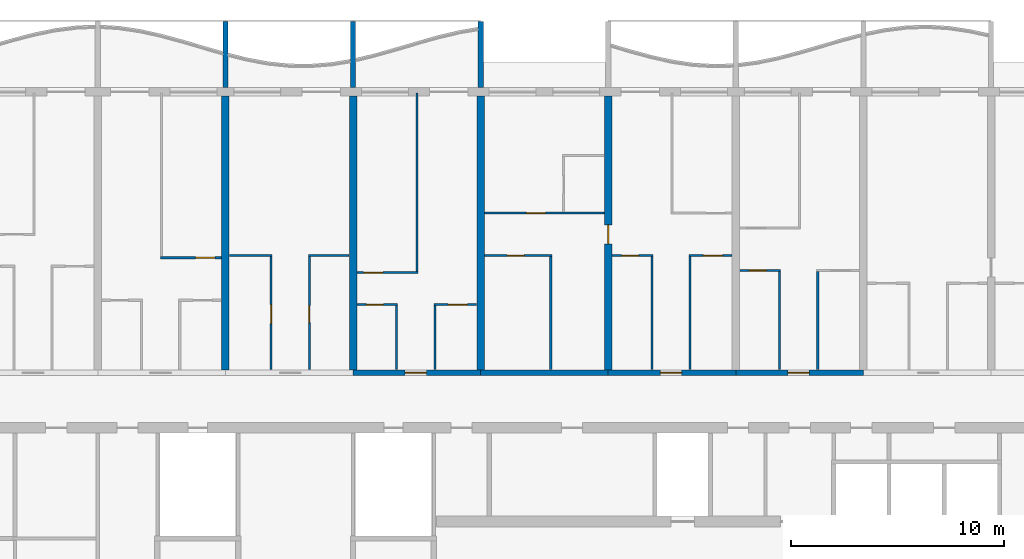
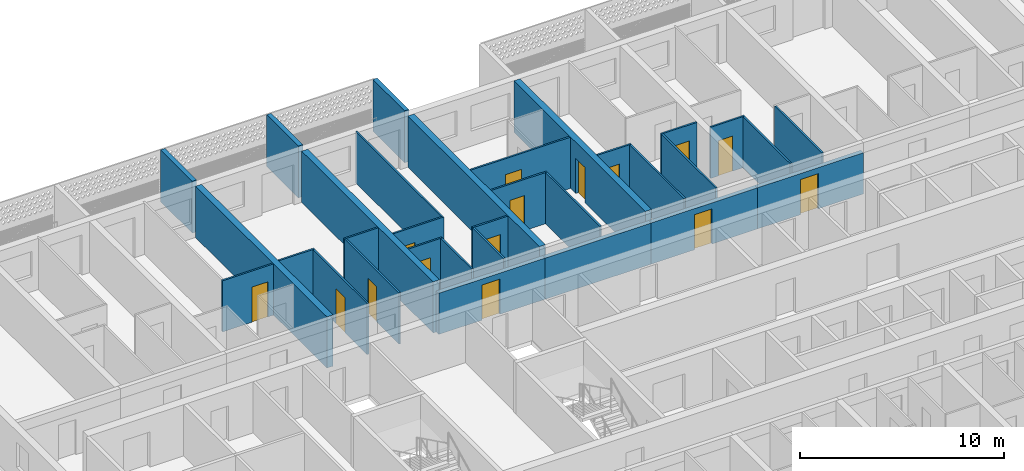
# One storey, part 11 of 28: 32 walls, 15 doors, 15 openings.
"""IFC4 building model written with IfcOpenShell, lengths in metres."""

from ifc_helpers import new_model, si_unit, direction, frame, frame_2d, origin, place, context, subcontext, project, spatial, polyline, rectangle, outline, extrude, source, transform, mapped, material, layer, layer_set, type_object, element, fill, save


model = new_model("IFC4")

# Units and contexts
model_context = context("Model", 3, precision=1e-05, world=origin(), true_north=direction((0.0, 1.0)))
body_context = subcontext(model_context, "Body", "Model", "MODEL_VIEW")
ifc_project = project(units=[si_unit("LENGTHUNIT", "METRE"), si_unit("AREAUNIT", "SQUARE_METRE"), si_unit("VOLUMEUNIT", "CUBIC_METRE"), si_unit("PLANEANGLEUNIT", "RADIAN"), si_unit("MASSUNIT", "GRAM", prefix="KILO")], contexts=[model_context])

# Site, building, storey
site_placement = place(None, origin())
site = spatial("IfcSite", under=ifc_project, at=site_placement, CompositionType="ELEMENT")
building_placement = place(site_placement, origin())
building = spatial("IfcBuilding", under=site, at=building_placement, Name="Poui Terraces", CompositionType="ELEMENT")
storey_placement = place(building_placement, frame((0.0, 0.0, 72.89990234375)))
storey = spatial("IfcBuildingStorey", under=building, at=storey_placement, Name="L19", CompositionType="ELEMENT", Elevation=72.89990234375)

# Wall, opening, door
ifc_material_1 = material(Name="Concrete 65 MPa", Category="concrete")
ifc_layer_1 = layer(ifc_material_1, 0.25)
ifc_layer_set_1 = layer_set([ifc_layer_1], Name="Concrete 65 MPa")
wall_type_1 = type_object("IfcWallType", Name="CORRIDOR WALL 250 65MPa", PredefinedType="SHEAR", material=ifc_layer_set_1)
wall_1_placement = place(storey_placement, frame((30.0, 30.39990234375, 0.0), z_axis=(0.0, 0.0, 1.0), x_axis=(1.0, 0.0, 0.0)))
wall_1 = element("IfcWall", 1, at=wall_1_placement, inside=storey, type_object=wall_type_1, Name="CORRIDOR WALL LINE E BAY 5", PredefinedType="SHEAR", context=body_context, shape_type="SweptSolid", body=[
    extrude(rectangle(XDim=6.0, YDim=0.25, at=frame_2d((3.0, 0.0))), origin(), (0.0, 0.0, 1.0), 2.460205078125),
])
opening_1_placement = place(wall_1_placement, frame((2.449951171875, 0.0, 0.0)))
opening_1 = element("IfcOpeningElement", 2, at=opening_1_placement, cuts=wall_1, Name="Opening FD30S", PredefinedType="OPENING", context=body_context, shape_type="SweptSolid", body=[
    extrude(rectangle(XDim=1.0, YDim=2.10009765625, at=frame_2d((0.5, 1.050048828125))), frame((0.0, 0.135009765625, 0.0), z_axis=(0.0, -1.0, 0.0), x_axis=(1.0, 0.0, 0.0)), (0.0, 0.0, 1.0), 0.27001953125),
])
ifc_material_2 = material(Name="Steel fire door", Category="steel")
door_type_1 = type_object("IfcDoorType", Name="FLAT ENTRANCE DOOR 1000 X 2100", OperationType="NOTDEFINED", PredefinedType="DOOR", material=ifc_material_2)
door_1_placement = place(opening_1_placement, origin())
door_1 = element("IfcDoor", 3, at=door_1_placement, inside=storey, type_object=door_type_1, Name="FLAT ENTRANCE DOOR 047", OperationType="SINGLE_SWING_LEFT", OverallHeight=2.10009765625, OverallWidth=1.0, PredefinedType="DOOR", context=body_context, shape_type="SweptSolid", body=[
    extrude(rectangle(XDim=1.0, YDim=2.10009765625, at=frame_2d((0.5, 1.050048828125))), frame((0.0, 0.02490234375, 0.0), z_axis=(0.0, -1.0, 0.0), x_axis=(1.0, 0.0, 0.0)), (0.0, 0.0, 1.0), 0.050048828125),
])
fill(opening_1, door_1)

# Wall
wall_2_placement = place(storey_placement, frame((36.0, 30.39990234375, 0.0), z_axis=(0.0, 0.0, 1.0), x_axis=(1.0, 0.0, 0.0)))
element("IfcWall", 4, at=wall_2_placement, inside=storey, type_object=wall_type_1, Name="CORRIDOR WALL LINE E BAY 6", PredefinedType="SHEAR", context=body_context, shape_type="SweptSolid", body=[
    extrude(rectangle(XDim=6.0, YDim=0.25, at=frame_2d((3.0, 0.0))), origin(), (0.0, 0.0, 1.0), 2.460205078125),
])

# Wall, opening, door
wall_3_placement = place(storey_placement, frame((42.0, 30.39990234375, 0.0), z_axis=(0.0, 0.0, 1.0), x_axis=(1.0, 0.0, 0.0)))
wall_3 = element("IfcWall", 5, at=wall_3_placement, inside=storey, type_object=wall_type_1, Name="CORRIDOR WALL LINE E BAY 7", PredefinedType="SHEAR", context=body_context, shape_type="SweptSolid", body=[
    extrude(rectangle(XDim=6.0, YDim=0.25, at=frame_2d((3.0, 0.0))), origin(), (0.0, 0.0, 1.0), 2.460205078125),
])
opening_2_placement = place(wall_3_placement, frame((2.449951171875, 0.0, 0.0)))
opening_2 = element("IfcOpeningElement", 6, at=opening_2_placement, cuts=wall_3, Name="Opening FD30S", PredefinedType="OPENING", context=body_context, shape_type="SweptSolid", body=[
    extrude(rectangle(XDim=1.0, YDim=2.10009765625, at=frame_2d((0.5, 1.050048828125))), frame((0.0, 0.135009765625, 0.0), z_axis=(0.0, -1.0, 0.0), x_axis=(1.0, 0.0, 0.0)), (0.0, 0.0, 1.0), 0.27001953125),
])
door_2_placement = place(opening_2_placement, origin())
door_2 = element("IfcDoor", 7, at=door_2_placement, inside=storey, type_object=door_type_1, Name="FLAT ENTRANCE DOOR 053", OperationType="SINGLE_SWING_LEFT", OverallHeight=2.10009765625, OverallWidth=1.0, PredefinedType="DOOR", context=body_context, shape_type="SweptSolid", body=[
    extrude(rectangle(XDim=1.0, YDim=2.10009765625, at=frame_2d((0.5, 1.050048828125))), frame((0.0, 0.02490234375, 0.0), z_axis=(0.0, -1.0, 0.0), x_axis=(1.0, 0.0, 0.0)), (0.0, 0.0, 1.0), 0.050048828125),
])
fill(opening_2, door_2)

wall_4_placement = place(storey_placement, frame((48.0, 30.39990234375, 0.0), z_axis=(0.0, 0.0, 1.0), x_axis=(1.0, 0.0, 0.0)))
wall_4 = element("IfcWall", 8, at=wall_4_placement, inside=storey, type_object=wall_type_1, Name="CORRIDOR WALL LINE E BAY 8", PredefinedType="SHEAR", context=body_context, shape_type="SweptSolid", body=[
    extrude(rectangle(XDim=6.0, YDim=0.25, at=frame_2d((3.0, 0.0))), origin(), (0.0, 0.0, 1.0), 2.460205078125),
])
opening_3_placement = place(wall_4_placement, frame((2.449951171875, 0.0, 0.0)))
opening_3 = element("IfcOpeningElement", 9, at=opening_3_placement, cuts=wall_4, Name="Opening FD30S", PredefinedType="OPENING", context=body_context, shape_type="SweptSolid", body=[
    extrude(rectangle(XDim=1.0, YDim=2.10009765625, at=frame_2d((0.5, 1.050048828125))), frame((0.0, 0.135009765625, 0.0), z_axis=(0.0, -1.0, 0.0), x_axis=(1.0, 0.0, 0.0)), (0.0, 0.0, 1.0), 0.27001953125),
])
door_3_placement = place(opening_3_placement, origin())
door_3 = element("IfcDoor", 10, at=door_3_placement, inside=storey, type_object=door_type_1, Name="FLAT ENTRANCE DOOR 059", OperationType="SINGLE_SWING_LEFT", OverallHeight=2.10009765625, OverallWidth=1.0, PredefinedType="DOOR", context=body_context, shape_type="SweptSolid", body=[
    extrude(rectangle(XDim=1.0, YDim=2.10009765625, at=frame_2d((0.5, 1.050048828125))), frame((0.0, 0.02490234375, 0.0), z_axis=(0.0, -1.0, 0.0), x_axis=(1.0, 0.0, 0.0)), (0.0, 0.0, 1.0), 0.050048828125),
])
fill(opening_3, door_3)

# Walls
ifc_layer_2 = layer(ifc_material_1, 0.35009765625)
ifc_layer_set_2 = layer_set([ifc_layer_2], Name="Concrete 65 MPa")
wall_type_2 = type_object("IfcWallType", Name="CROSS WALL 350 65MPa", PredefinedType="SHEAR", material=ifc_layer_set_2)
for number, where, z_axis, x_axis, name in (
    (11, (24.0, 30.52490234375, 0.0), (0.0, 0.0, 1.0), (0.0, 1.0, 0.0), "CROSS WALL LINE 5 NORTH"),
    (12, (30.0, 30.52490234375, 0.0), (0.0, 0.0, 1.0), (0.0, 1.0, 0.0), "CROSS WALL LINE 6 NORTH"),
    (13, (36.0, 30.52490234375, 0.0), (0.0, 0.0, 1.0), (0.0, 1.0, 0.0), "CROSS WALL LINE 7 NORTH"),
):
    element("IfcWall", number, at=place(storey_placement, frame(where, z_axis=z_axis, x_axis=x_axis)), inside=storey, type_object=wall_type_2, Name=name, PredefinedType="SHEAR", context=body_context, shape_type="SweptSolid", body=[
        extrude(rectangle(XDim=12.875, YDim=0.35009765625, at=frame_2d((6.4375, 0.0))), origin(), (0.0, 0.0, 1.0), 3.06005859375),
    ])

# Wall, opening, door
wall_5_placement = place(storey_placement, frame((42.0, 30.52490234375, 0.0), z_axis=(0.0, 0.0, 1.0), x_axis=(0.0, 1.0, 0.0)))
wall_5 = element("IfcWall", 14, at=wall_5_placement, inside=storey, type_object=wall_type_2, Name="CROSS WALL LINE 8 NORTH", PredefinedType="SHEAR", context=body_context, shape_type="SweptSolid", body=[
    extrude(rectangle(XDim=12.875, YDim=0.35009765625, at=frame_2d((6.4375, 0.0))), origin(), (0.0, 0.0, 1.0), 3.06005859375),
])
opening_4_placement = place(wall_5_placement, frame((5.925048828125, 0.0, 0.0)))
opening_4 = element("IfcOpeningElement", 15, at=opening_4_placement, cuts=wall_5, Name="Opening D90", PredefinedType="OPENING", context=body_context, shape_type="SweptSolid", body=[
    extrude(rectangle(XDim=0.89990234375, YDim=2.10009765625, at=frame_2d((0.449951171875, 1.050048828125))), frame((0.0, 0.18505859375, 0.0), z_axis=(0.0, -1.0, 0.0), x_axis=(1.0, 0.0, 0.0)), (0.0, 0.0, 1.0), 0.3701171875),
])
ifc_material_3 = material(Name="Solid core timber door", Category="wood")
door_type_2 = type_object("IfcDoorType", Name="INTERNAL DOOR 900 X 2100", OperationType="NOTDEFINED", PredefinedType="DOOR", material=ifc_material_3)
door_4_placement = place(opening_4_placement, frame((0.89990234375, 0.0, 0.0), z_axis=(0.0, 0.0, 1.0), x_axis=(-1.0, 0.0, 0.0)))
door_4 = element("IfcDoor", 16, at=door_4_placement, inside=storey, type_object=door_type_2, Name="INTERNAL DOOR 051", OperationType="SINGLE_SWING_RIGHT", OverallHeight=2.10009765625, OverallWidth=0.89990234375, PredefinedType="DOOR", context=body_context, shape_type="SweptSolid", body=[
    extrude(rectangle(XDim=0.89990234375, YDim=2.10009765625, at=frame_2d((0.449951171875, 1.050048828125))), frame((0.0, 0.02490234375, 0.0), z_axis=(0.0, -1.0, 0.0), x_axis=(1.0, 0.0, 0.0)), (0.0, 0.0, 1.0), 0.050048828125),
])
fill(opening_4, door_4)

ifc_material_4 = material(Name="Plasterboard partition")
ifc_layer_3 = layer(ifc_material_4, 0.10009765625)
ifc_layer_set_3 = layer_set([ifc_layer_3], Name="Plasterboard partition")
wall_type_3 = type_object("IfcWallType", Name="FLAT PARTITION 100", PredefinedType="PARTITIONING", material=ifc_layer_set_3)
wall_6_placement = place(storey_placement, frame((30.18505859375, 33.60009765625, 0.0), z_axis=(0.0, 0.0, 1.0), x_axis=(1.0, 0.0, 0.0)))
wall_6 = element("IfcWall", 17, at=wall_6_placement, inside=storey, type_object=wall_type_3, Name="FLAT PARTITION 100", PredefinedType="PARTITIONING", context=body_context, shape_type="SweptSolid", body=[
    extrude(rectangle(XDim=1.9150390625, YDim=0.10009765625, at=frame_2d((0.95751953125, 0.0))), origin(), (0.0, 0.0, 1.0), 3.06005859375),
])
opening_5_placement = place(wall_6_placement, frame((0.43994140625, 0.0, 0.0)))
opening_5 = element("IfcOpeningElement", 18, at=opening_5_placement, cuts=wall_6, Name="Opening D80", PredefinedType="OPENING", context=body_context, shape_type="SweptSolid", body=[
    extrude(rectangle(XDim=0.800048828125, YDim=2.10009765625, at=frame_2d((0.39990234375, 1.050048828125))), frame((0.0, 0.06005859375, 0.0), z_axis=(0.0, -1.0, 0.0), x_axis=(1.0, 0.0, 0.0)), (0.0, 0.0, 1.0), 0.1201171875),
])
door_type_3 = type_object("IfcDoorType", Name="BATHROOM, LAUNDRY AND STORE DOOR 800 X 2100", OperationType="NOTDEFINED", PredefinedType="DOOR", material=ifc_material_3)
door_5_placement = place(opening_5_placement, frame((0.800048828125, 0.0, 0.0), z_axis=(0.0, 0.0, 1.0), x_axis=(-1.0, 0.0, 0.0)))
door_5 = element("IfcDoor", 19, at=door_5_placement, inside=storey, type_object=door_type_3, Name="BATHROOM, LAUNDRY AND STORE DOOR 046", OperationType="SINGLE_SWING_RIGHT", OverallHeight=2.10009765625, OverallWidth=0.800048828125, PredefinedType="DOOR", context=body_context, shape_type="SweptSolid", body=[
    extrude(rectangle(XDim=0.800048828125, YDim=2.10009765625, at=frame_2d((0.39990234375, 1.050048828125))), frame((0.0, 0.02490234375, 0.0), z_axis=(0.0, -1.0, 0.0), x_axis=(1.0, 0.0, 0.0)), (0.0, 0.0, 1.0), 0.050048828125),
])
fill(opening_5, door_5)

wall_7_placement = place(storey_placement, frame((33.800048828125, 33.60009765625, 0.0), z_axis=(0.0, 0.0, 1.0), x_axis=(1.0, 0.0, 0.0)))
wall_7 = element("IfcWall", 20, at=wall_7_placement, inside=storey, type_object=wall_type_3, Name="FLAT PARTITION 100", PredefinedType="PARTITIONING", context=body_context, shape_type="SweptSolid", body=[
    extrude(rectangle(XDim=2.014892578125, YDim=0.10009765625, at=frame_2d((1.00732421875, 0.0))), origin(), (0.0, 0.0, 1.0), 3.06005859375),
])
opening_6_placement = place(wall_7_placement, frame((0.675048828125, 0.0, 0.0)))
opening_6 = element("IfcOpeningElement", 21, at=opening_6_placement, cuts=wall_7, Name="Opening D90", PredefinedType="OPENING", context=body_context, shape_type="SweptSolid", body=[
    extrude(rectangle(XDim=0.89990234375, YDim=2.10009765625, at=frame_2d((0.449951171875, 1.050048828125))), frame((0.0, 0.06005859375, 0.0), z_axis=(0.0, -1.0, 0.0), x_axis=(1.0, 0.0, 0.0)), (0.0, 0.0, 1.0), 0.1201171875),
])
door_6_placement = place(opening_6_placement, frame((0.89990234375, 0.0, 0.0), z_axis=(0.0, 0.0, 1.0), x_axis=(-1.0, 0.0, 0.0)))
door_6 = element("IfcDoor", 22, at=door_6_placement, inside=storey, type_object=door_type_2, Name="INTERNAL DOOR 048", OperationType="SINGLE_SWING_LEFT", OverallHeight=2.10009765625, OverallWidth=0.89990234375, PredefinedType="DOOR", context=body_context, shape_type="SweptSolid", body=[
    extrude(rectangle(XDim=0.89990234375, YDim=2.10009765625, at=frame_2d((0.449951171875, 1.050048828125))), frame((0.0, 0.02490234375, 0.0), z_axis=(0.0, -1.0, 0.0), x_axis=(1.0, 0.0, 0.0)), (0.0, 0.0, 1.0), 0.050048828125),
])
fill(opening_6, door_6)

wall_8_placement = place(storey_placement, frame((30.18505859375, 35.10009765625, 0.0), z_axis=(0.0, 0.0, 1.0), x_axis=(1.0, 0.0, 0.0)))
wall_8 = element("IfcWall", 23, at=wall_8_placement, inside=storey, type_object=wall_type_3, Name="FLAT PARTITION 100", PredefinedType="PARTITIONING", context=body_context, shape_type="SweptSolid", body=[
    extrude(rectangle(XDim=2.864990234375, YDim=0.10009765625, at=frame_2d((1.4326171875, 0.0))), origin(), (0.0, 0.0, 1.0), 3.06005859375),
])
opening_7_placement = place(wall_8_placement, frame((0.31494140625, 0.0, 0.0)))
opening_7 = element("IfcOpeningElement", 24, at=opening_7_placement, cuts=wall_8, Name="Opening D90", PredefinedType="OPENING", context=body_context, shape_type="SweptSolid", body=[
    extrude(rectangle(XDim=0.89990234375, YDim=2.10009765625, at=frame_2d((0.449951171875, 1.050048828125))), frame((0.0, 0.06005859375, 0.0), z_axis=(0.0, -1.0, 0.0), x_axis=(1.0, 0.0, 0.0)), (0.0, 0.0, 1.0), 0.1201171875),
])
door_7_placement = place(opening_7_placement, frame((0.89990234375, 0.0, 0.0), z_axis=(0.0, 0.0, 1.0), x_axis=(-1.0, 0.0, 0.0)))
door_7 = element("IfcDoor", 25, at=door_7_placement, inside=storey, type_object=door_type_2, Name="INTERNAL DOOR 045", OperationType="SINGLE_SWING_LEFT", OverallHeight=2.10009765625, OverallWidth=0.89990234375, PredefinedType="DOOR", context=body_context, shape_type="SweptSolid", body=[
    extrude(rectangle(XDim=0.89990234375, YDim=2.10009765625, at=frame_2d((0.449951171875, 1.050048828125))), frame((0.0, 0.02490234375, 0.0), z_axis=(0.0, -1.0, 0.0), x_axis=(1.0, 0.0, 0.0)), (0.0, 0.0, 1.0), 0.050048828125),
])
fill(opening_7, door_7)

wall_9_placement = place(storey_placement, frame((48.18505859375, 35.199951171875, 0.0), z_axis=(0.0, 0.0, 1.0), x_axis=(1.0, 0.0, 0.0)))
wall_9 = element("IfcWall", 26, at=wall_9_placement, inside=storey, type_object=wall_type_3, Name="FLAT PARTITION 100", PredefinedType="PARTITIONING", context=body_context, shape_type="SweptSolid", body=[
    extrude(rectangle(XDim=1.9150390625, YDim=0.10009765625, at=frame_2d((0.95751953125, 0.0))), origin(), (0.0, 0.0, 1.0), 3.06005859375),
])
opening_8_placement = place(wall_9_placement, frame((0.43994140625, 0.0, 0.0)))
opening_8 = element("IfcOpeningElement", 27, at=opening_8_placement, cuts=wall_9, Name="Opening D80", PredefinedType="OPENING", context=body_context, shape_type="SweptSolid", body=[
    extrude(rectangle(XDim=0.800048828125, YDim=2.10009765625, at=frame_2d((0.39990234375, 1.050048828125))), frame((0.0, 0.06005859375, 0.0), z_axis=(0.0, -1.0, 0.0), x_axis=(1.0, 0.0, 0.0)), (0.0, 0.0, 1.0), 0.1201171875),
])
door_8_placement = place(opening_8_placement, frame((0.800048828125, 0.0, 0.0), z_axis=(0.0, 0.0, 1.0), x_axis=(-1.0, 0.0, 0.0)))
door_8 = element("IfcDoor", 28, at=door_8_placement, inside=storey, type_object=door_type_3, Name="BATHROOM, LAUNDRY AND STORE DOOR 058", OperationType="SINGLE_SWING_RIGHT", OverallHeight=2.10009765625, OverallWidth=0.800048828125, PredefinedType="DOOR", context=body_context, shape_type="SweptSolid", body=[
    extrude(rectangle(XDim=0.800048828125, YDim=2.10009765625, at=frame_2d((0.39990234375, 1.050048828125))), frame((0.0, 0.02490234375, 0.0), z_axis=(0.0, -1.0, 0.0), x_axis=(1.0, 0.0, 0.0)), (0.0, 0.0, 1.0), 0.050048828125),
])
fill(opening_8, door_8)

wall_10_placement = place(storey_placement, frame((20.949951171875, 35.800048828125, 0.0), z_axis=(0.0, 0.0, 1.0), x_axis=(1.0, 0.0, 0.0)))
wall_10 = element("IfcWall", 29, at=wall_10_placement, inside=storey, type_object=wall_type_3, Name="FLAT PARTITION 100", PredefinedType="PARTITIONING", context=body_context, shape_type="SweptSolid", body=[
    extrude(rectangle(XDim=2.864990234375, YDim=0.10009765625, at=frame_2d((1.4326171875, 0.0))), origin(), (0.0, 0.0, 1.0), 3.06005859375),
])
opening_9_placement = place(wall_10_placement, frame((1.64990234375, 0.0, 0.0)))
opening_9 = element("IfcOpeningElement", 30, at=opening_9_placement, cuts=wall_10, Name="Opening D90", PredefinedType="OPENING", context=body_context, shape_type="SweptSolid", body=[
    extrude(rectangle(XDim=0.89990234375, YDim=2.10009765625, at=frame_2d((0.449951171875, 1.050048828125))), frame((0.0, 0.06005859375, 0.0), z_axis=(0.0, -1.0, 0.0), x_axis=(1.0, 0.0, 0.0)), (0.0, 0.0, 1.0), 0.1201171875),
])
door_9_placement = place(opening_9_placement, frame((0.89990234375, 0.0, 0.0), z_axis=(0.0, 0.0, 1.0), x_axis=(-1.0, 0.0, 0.0)))
door_9 = element("IfcDoor", 31, at=door_9_placement, inside=storey, type_object=door_type_2, Name="INTERNAL DOOR 041", OperationType="SINGLE_SWING_RIGHT", OverallHeight=2.10009765625, OverallWidth=0.89990234375, PredefinedType="DOOR", context=body_context, shape_type="SweptSolid", body=[
    extrude(rectangle(XDim=0.89990234375, YDim=2.10009765625, at=frame_2d((0.449951171875, 1.050048828125))), frame((0.0, 0.02490234375, 0.0), z_axis=(0.0, -1.0, 0.0), x_axis=(1.0, 0.0, 0.0)), (0.0, 0.0, 1.0), 0.050048828125),
])
fill(opening_9, door_9)

# Walls
wall_11_placement = place(storey_placement, frame((24.18505859375, 35.89990234375, 0.0), z_axis=(0.0, 0.0, 1.0), x_axis=(1.0, 0.0, 0.0)))
element("IfcWall", 32, at=wall_11_placement, inside=storey, type_object=wall_type_3, Name="FLAT PARTITION 100", PredefinedType="PARTITIONING", context=body_context, shape_type="SweptSolid", body=[
    extrude(rectangle(XDim=2.014892578125, YDim=0.10009765625, at=frame_2d((1.00732421875, 0.0))), origin(), (0.0, 0.0, 1.0), 3.06005859375),
])
wall_12_placement = place(storey_placement, frame((27.89990234375, 35.89990234375, 0.0), z_axis=(0.0, 0.0, 1.0), x_axis=(1.0, 0.0, 0.0)))
element("IfcWall", 33, at=wall_12_placement, inside=storey, type_object=wall_type_3, Name="FLAT PARTITION 100", PredefinedType="PARTITIONING", context=body_context, shape_type="SweptSolid", body=[
    extrude(rectangle(XDim=1.9150390625, YDim=0.10009765625, at=frame_2d((0.95751953125, 0.0))), origin(), (0.0, 0.0, 1.0), 3.06005859375),
])

# Wall, opening, door
wall_13_placement = place(storey_placement, frame((36.18505859375, 35.89990234375, 0.0), z_axis=(0.0, 0.0, 1.0), x_axis=(1.0, 0.0, 0.0)))
wall_13 = element("IfcWall", 34, at=wall_13_placement, inside=storey, type_object=wall_type_3, Name="FLAT PARTITION 100", PredefinedType="PARTITIONING", context=body_context, shape_type="SweptSolid", body=[
    extrude(rectangle(XDim=3.1650390625, YDim=0.10009765625, at=frame_2d((1.58251953125, 0.0))), origin(), (0.0, 0.0, 1.0), 3.06005859375),
])
opening_10_placement = place(wall_13_placement, frame((1.06494140625, 0.0, 0.0)))
opening_10 = element("IfcOpeningElement", 35, at=opening_10_placement, cuts=wall_13, Name="Opening D80", PredefinedType="OPENING", context=body_context, shape_type="SweptSolid", body=[
    extrude(rectangle(XDim=0.800048828125, YDim=2.10009765625, at=frame_2d((0.39990234375, 1.050048828125))), frame((0.0, 0.06005859375, 0.0), z_axis=(0.0, -1.0, 0.0), x_axis=(1.0, 0.0, 0.0)), (0.0, 0.0, 1.0), 0.1201171875),
])
door_10_placement = place(opening_10_placement, origin())
door_10 = element("IfcDoor", 36, at=door_10_placement, inside=storey, type_object=door_type_3, Name="BATHROOM, LAUNDRY AND STORE DOOR 049", OperationType="SINGLE_SWING_LEFT", OverallHeight=2.10009765625, OverallWidth=0.800048828125, PredefinedType="DOOR", context=body_context, shape_type="SweptSolid", body=[
    extrude(rectangle(XDim=0.800048828125, YDim=2.10009765625, at=frame_2d((0.39990234375, 1.050048828125))), frame((0.0, 0.02490234375, 0.0), z_axis=(0.0, -1.0, 0.0), x_axis=(1.0, 0.0, 0.0)), (0.0, 0.0, 1.0), 0.050048828125),
])
fill(opening_10, door_10)

wall_14_placement = place(storey_placement, frame((42.18505859375, 35.89990234375, 0.0), z_axis=(0.0, 0.0, 1.0), x_axis=(1.0, 0.0, 0.0)))
wall_14 = element("IfcWall", 37, at=wall_14_placement, inside=storey, type_object=wall_type_3, Name="FLAT PARTITION 100", PredefinedType="PARTITIONING", context=body_context, shape_type="SweptSolid", body=[
    extrude(rectangle(XDim=1.9150390625, YDim=0.10009765625, at=frame_2d((0.95751953125, 0.0))), origin(), (0.0, 0.0, 1.0), 3.06005859375),
])
opening_11_placement = place(wall_14_placement, frame((0.43994140625, 0.0, 0.0)))
opening_11 = element("IfcOpeningElement", 38, at=opening_11_placement, cuts=wall_14, Name="Opening D80", PredefinedType="OPENING", context=body_context, shape_type="SweptSolid", body=[
    extrude(rectangle(XDim=0.800048828125, YDim=2.10009765625, at=frame_2d((0.39990234375, 1.050048828125))), frame((0.0, 0.06005859375, 0.0), z_axis=(0.0, -1.0, 0.0), x_axis=(1.0, 0.0, 0.0)), (0.0, 0.0, 1.0), 0.1201171875),
])
door_11_placement = place(opening_11_placement, frame((0.800048828125, 0.0, 0.0), z_axis=(0.0, 0.0, 1.0), x_axis=(-1.0, 0.0, 0.0)))
door_11 = element("IfcDoor", 39, at=door_11_placement, inside=storey, type_object=door_type_3, Name="BATHROOM, LAUNDRY AND STORE DOOR 052", OperationType="SINGLE_SWING_RIGHT", OverallHeight=2.10009765625, OverallWidth=0.800048828125, PredefinedType="DOOR", context=body_context, shape_type="SweptSolid", body=[
    extrude(rectangle(XDim=0.800048828125, YDim=2.10009765625, at=frame_2d((0.39990234375, 1.050048828125))), frame((0.0, 0.02490234375, 0.0), z_axis=(0.0, -1.0, 0.0), x_axis=(1.0, 0.0, 0.0)), (0.0, 0.0, 1.0), 0.050048828125),
])
fill(opening_11, door_11)

wall_15_placement = place(storey_placement, frame((45.800048828125, 35.89990234375, 0.0), z_axis=(0.0, 0.0, 1.0), x_axis=(1.0, 0.0, 0.0)))
wall_15 = element("IfcWall", 40, at=wall_15_placement, inside=storey, type_object=wall_type_3, Name="FLAT PARTITION 100", PredefinedType="PARTITIONING", context=body_context, shape_type="SweptSolid", body=[
    extrude(rectangle(XDim=2.014892578125, YDim=0.10009765625, at=frame_2d((1.00732421875, 0.0))), origin(), (0.0, 0.0, 1.0), 3.06005859375),
])
opening_12_placement = place(wall_15_placement, frame((0.675048828125, 0.0, 0.0)))
opening_12 = element("IfcOpeningElement", 41, at=opening_12_placement, cuts=wall_15, Name="Opening D90", PredefinedType="OPENING", context=body_context, shape_type="SweptSolid", body=[
    extrude(rectangle(XDim=0.89990234375, YDim=2.10009765625, at=frame_2d((0.449951171875, 1.050048828125))), frame((0.0, 0.06005859375, 0.0), z_axis=(0.0, -1.0, 0.0), x_axis=(1.0, 0.0, 0.0)), (0.0, 0.0, 1.0), 0.1201171875),
])
door_12_placement = place(opening_12_placement, frame((0.89990234375, 0.0, 0.0), z_axis=(0.0, 0.0, 1.0), x_axis=(-1.0, 0.0, 0.0)))
door_12 = element("IfcDoor", 42, at=door_12_placement, inside=storey, type_object=door_type_2, Name="INTERNAL DOOR 054", OperationType="SINGLE_SWING_LEFT", OverallHeight=2.10009765625, OverallWidth=0.89990234375, PredefinedType="DOOR", context=body_context, shape_type="SweptSolid", body=[
    extrude(rectangle(XDim=0.89990234375, YDim=2.10009765625, at=frame_2d((0.449951171875, 1.050048828125))), frame((0.0, 0.02490234375, 0.0), z_axis=(0.0, -1.0, 0.0), x_axis=(1.0, 0.0, 0.0)), (0.0, 0.0, 1.0), 0.050048828125),
])
fill(opening_12, door_12)

wall_16_placement = place(storey_placement, frame((36.18505859375, 37.89990234375, 0.0), z_axis=(0.0, 0.0, 1.0), x_axis=(1.0, 0.0, 0.0)))
wall_16 = element("IfcWall", 43, at=wall_16_placement, inside=storey, type_object=wall_type_3, Name="FLAT PARTITION 100", PredefinedType="PARTITIONING", context=body_context, shape_type="SweptSolid", body=[
    extrude(rectangle(XDim=5.6298828125, YDim=0.10009765625, at=frame_2d((2.81494140625, 0.0))), origin(), (0.0, 0.0, 1.0), 3.06005859375),
])
opening_13_placement = place(wall_16_placement, frame((1.965087890625, 0.0, 0.0)))
opening_13 = element("IfcOpeningElement", 44, at=opening_13_placement, cuts=wall_16, Name="Opening D90", PredefinedType="OPENING", context=body_context, shape_type="SweptSolid", body=[
    extrude(rectangle(XDim=0.89990234375, YDim=2.10009765625, at=frame_2d((0.449951171875, 1.050048828125))), frame((0.0, 0.06005859375, 0.0), z_axis=(0.0, -1.0, 0.0), x_axis=(1.0, 0.0, 0.0)), (0.0, 0.0, 1.0), 0.1201171875),
])
door_13_placement = place(opening_13_placement, origin())
door_13 = element("IfcDoor", 45, at=door_13_placement, inside=storey, type_object=door_type_2, Name="INTERNAL DOOR 050", OperationType="SINGLE_SWING_LEFT", OverallHeight=2.10009765625, OverallWidth=0.89990234375, PredefinedType="DOOR", context=body_context, shape_type="SweptSolid", body=[
    extrude(rectangle(XDim=0.89990234375, YDim=2.10009765625, at=frame_2d((0.449951171875, 1.050048828125))), frame((0.0, 0.02490234375, 0.0), z_axis=(0.0, -1.0, 0.0), x_axis=(1.0, 0.0, 0.0)), (0.0, 0.0, 1.0), 0.050048828125),
])
fill(opening_13, door_13)

wall_17_placement = place(storey_placement, frame((26.14990234375, 30.534912109375, 0.0), z_axis=(0.0, 0.0, 1.0), x_axis=(0.0, 1.0, 0.0)))
wall_17 = element("IfcWall", 46, at=wall_17_placement, inside=storey, type_object=wall_type_3, Name="FLAT PARTITION 100", PredefinedType="PARTITIONING", context=body_context, shape_type="SweptSolid", body=[
    extrude(rectangle(XDim=5.315185546875, YDim=0.10009765625, at=frame_2d((2.65771484375, 0.0))), origin(), (0.0, 0.0, 1.0), 3.06005859375),
])
opening_14_placement = place(wall_17_placement, frame((2.1650390625, 0.0, 0.0)))
opening_14 = element("IfcOpeningElement", 47, at=opening_14_placement, cuts=wall_17, Name="Opening D90", PredefinedType="OPENING", context=body_context, shape_type="SweptSolid", body=[
    extrude(rectangle(XDim=0.89990234375, YDim=2.10009765625, at=frame_2d((0.449951171875, 1.050048828125))), frame((0.0, 0.06005859375, 0.0), z_axis=(0.0, -1.0, 0.0), x_axis=(1.0, 0.0, 0.0)), (0.0, 0.0, 1.0), 0.1201171875),
])
door_14_placement = place(opening_14_placement, origin())
door_14 = element("IfcDoor", 48, at=door_14_placement, inside=storey, type_object=door_type_2, Name="INTERNAL DOOR 042", OperationType="SINGLE_SWING_LEFT", OverallHeight=2.10009765625, OverallWidth=0.89990234375, PredefinedType="DOOR", context=body_context, shape_type="SweptSolid", body=[
    extrude(rectangle(XDim=0.89990234375, YDim=2.10009765625, at=frame_2d((0.449951171875, 1.050048828125))), frame((0.0, 0.02490234375, 0.0), z_axis=(0.0, -1.0, 0.0), x_axis=(1.0, 0.0, 0.0)), (0.0, 0.0, 1.0), 0.050048828125),
])
fill(opening_14, door_14)

wall_18_placement = place(storey_placement, frame((27.949951171875, 30.534912109375, 0.0), z_axis=(0.0, 0.0, 1.0), x_axis=(0.0, 1.0, 0.0)))
wall_18 = element("IfcWall", 49, at=wall_18_placement, inside=storey, type_object=wall_type_3, Name="FLAT PARTITION 100", PredefinedType="PARTITIONING", context=body_context, shape_type="SweptSolid", body=[
    extrude(rectangle(XDim=5.315185546875, YDim=0.10009765625, at=frame_2d((2.65771484375, 0.0))), origin(), (0.0, 0.0, 1.0), 3.06005859375),
])
opening_15_placement = place(wall_18_placement, frame((2.215087890625, 0.0, 0.0)))
opening_15 = element("IfcOpeningElement", 50, at=opening_15_placement, cuts=wall_18, Name="Opening D80", PredefinedType="OPENING", context=body_context, shape_type="SweptSolid", body=[
    extrude(rectangle(XDim=0.800048828125, YDim=2.10009765625, at=frame_2d((0.39990234375, 1.050048828125))), frame((0.0, 0.06005859375, 0.0), z_axis=(0.0, -1.0, 0.0), x_axis=(1.0, 0.0, 0.0)), (0.0, 0.0, 1.0), 0.1201171875),
])
door_15_placement = place(opening_15_placement, frame((0.800048828125, 0.0, 0.0), z_axis=(0.0, 0.0, 1.0), x_axis=(-1.0, 0.0, 0.0)))
door_15 = element("IfcDoor", 51, at=door_15_placement, inside=storey, type_object=door_type_3, Name="BATHROOM, LAUNDRY AND STORE DOOR 044", OperationType="SINGLE_SWING_LEFT", OverallHeight=2.10009765625, OverallWidth=0.800048828125, PredefinedType="DOOR", context=body_context, shape_type="SweptSolid", body=[
    extrude(rectangle(XDim=0.800048828125, YDim=2.10009765625, at=frame_2d((0.39990234375, 1.050048828125))), frame((0.0, 0.02490234375, 0.0), z_axis=(0.0, -1.0, 0.0), x_axis=(1.0, 0.0, 0.0)), (0.0, 0.0, 1.0), 0.050048828125),
])
fill(opening_15, door_15)

# Walls
wall_19_placement = place(storey_placement, frame((32.050048828125, 30.534912109375, 0.0), z_axis=(0.0, 0.0, 1.0), x_axis=(0.0, 1.0, 0.0)))
element("IfcWall", 52, at=wall_19_placement, inside=storey, type_object=wall_type_3, Name="FLAT PARTITION 100", PredefinedType="PARTITIONING", context=body_context, shape_type="SweptSolid", body=[
    extrude(rectangle(XDim=3.01513671875, YDim=0.10009765625, at=frame_2d((1.507568359375, 0.0))), origin(), (0.0, 0.0, 1.0), 3.06005859375),
])
wall_20_placement = place(storey_placement, frame((33.0, 35.14990234375, 0.0), z_axis=(0.0, 0.0, 1.0), x_axis=(0.0, 1.0, 0.0)))
element("IfcWall", 53, at=wall_20_placement, inside=storey, type_object=wall_type_3, Name="FLAT PARTITION 100", PredefinedType="PARTITIONING", context=body_context, shape_type="SweptSolid", body=[
    extrude(rectangle(XDim=8.39013671875, YDim=0.10009765625, at=frame_2d((4.195068359375, 0.0))), origin(), (0.0, 0.0, 1.0), 3.06005859375),
])
wall_21_placement = place(storey_placement, frame((33.85009765625, 30.534912109375, 0.0), z_axis=(0.0, 0.0, 1.0), x_axis=(0.0, 1.0, 0.0)))
element("IfcWall", 54, at=wall_21_placement, inside=storey, type_object=wall_type_3, Name="FLAT PARTITION 100", PredefinedType="PARTITIONING", context=body_context, shape_type="SweptSolid", body=[
    extrude(rectangle(XDim=3.01513671875, YDim=0.10009765625, at=frame_2d((1.507568359375, 0.0))), origin(), (0.0, 0.0, 1.0), 3.06005859375),
])
for number, where, z_axis, x_axis, name in (
    (55, (39.300048828125, 30.534912109375, 0.0), (0.0, 0.0, 1.0), (0.0, 1.0, 0.0), "FLAT PARTITION 100"),
    (56, (44.050048828125, 30.534912109375, 0.0), (0.0, 0.0, 1.0), (0.0, 1.0, 0.0), "FLAT PARTITION 100"),
    (57, (45.85009765625, 30.534912109375, 0.0), (0.0, 0.0, 1.0), (0.0, 1.0, 0.0), "FLAT PARTITION 100"),
):
    element("IfcWall", number, at=place(storey_placement, frame(where, z_axis=z_axis, x_axis=x_axis)), inside=storey, type_object=wall_type_3, Name=name, PredefinedType="PARTITIONING", context=body_context, shape_type="SweptSolid", body=[
        extrude(rectangle(XDim=5.315185546875, YDim=0.10009765625, at=frame_2d((2.65771484375, 0.0))), origin(), (0.0, 0.0, 1.0), 3.06005859375),
    ])
for number, where, z_axis, x_axis, name in (
    (58, (50.050048828125, 30.534912109375, 0.0), (0.0, 0.0, 1.0), (0.0, 1.0, 0.0), "FLAT PARTITION 100"),
    (59, (51.85009765625, 30.534912109375, 0.0), (0.0, 0.0, 1.0), (0.0, 1.0, 0.0), "FLAT PARTITION 100"),
):
    element("IfcWall", number, at=place(storey_placement, frame(where, z_axis=z_axis, x_axis=x_axis)), inside=storey, type_object=wall_type_3, Name=name, PredefinedType="PARTITIONING", context=body_context, shape_type="SweptSolid", body=[
        extrude(rectangle(XDim=4.614990234375, YDim=0.10009765625, at=frame_2d((2.3076171875, 0.0))), origin(), (0.0, 0.0, 1.0), 3.06005859375),
    ])
ifc_material_5 = material(Name="Precast concrete 40 MPa", Category="concrete")
ifc_layer_4 = layer(ifc_material_5, 0.25)
ifc_layer_set_4 = layer_set([ifc_layer_4], Name="Precast concrete 40 MPa")
wall_type_4 = type_object("IfcWallType", Name="BALCONY FIN 250", PredefinedType="STANDARD", material=ifc_layer_set_4)
shared_shape = source(origin(), body_context, "Body", "SweptSolid", [
    extrude(outline(polyline([(0.0, 0.0), (0.25, 0.0), (0.25, 3.099853515625), (0.0, 3.099853515625), (0.0, 0.0)])), origin(), (0.0, 0.0, 1.0), 3.10009765625),
])
for number, where, name in (
    (60, (23.875, 43.800048828125, 0.0), "BALCONY FIN"),
    (61, (29.875, 43.800048828125, 0.0), "BALCONY FIN"),
    (62, (35.875, 43.800048828125, 0.0), "BALCONY FIN"),
):
    element("IfcWall", number, at=place(storey_placement, frame(where)), inside=storey, type_object=wall_type_4, Name=name, PredefinedType="STANDARD", context=body_context, shape_type="MappedRepresentation", body=[
        mapped(shared_shape, transform((0.0, 0.0, 0.0))),
    ])

save(model, "model.ifc")
